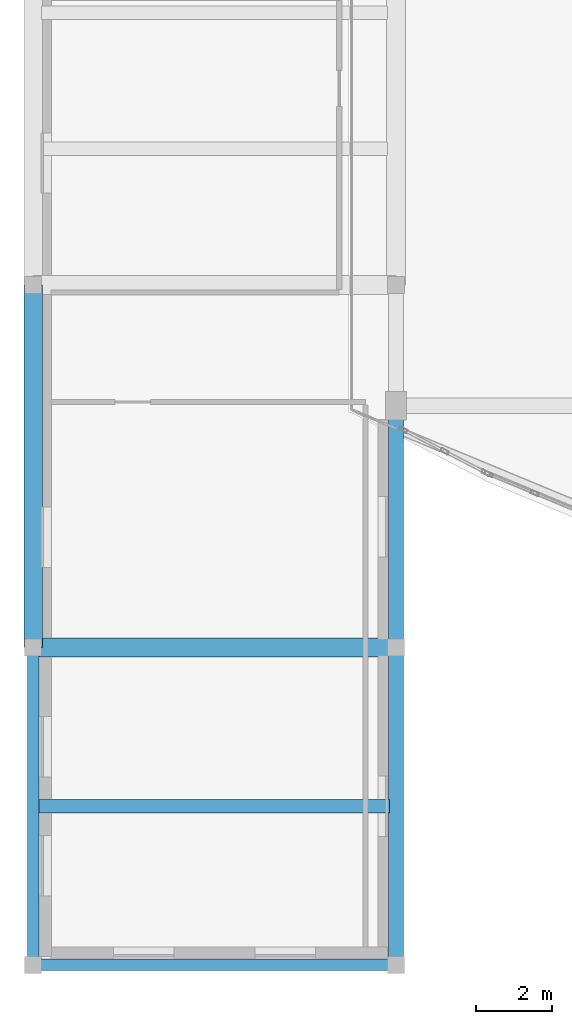
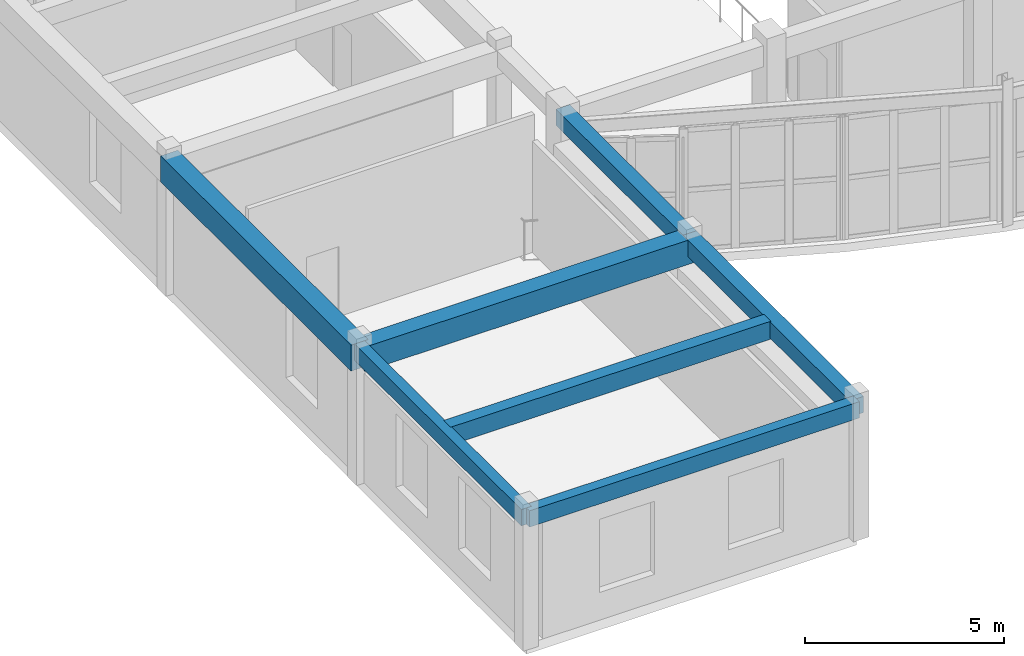
# One storey, part 5 of 92: 7 beams.
"""IFC4 building model written with IfcOpenShell, lengths in metres."""

from ifc_helpers import new_model, si_unit, direction, frame, origin, origin_2d, place, context, subcontext, project, spatial, rectangle, extrude, material, material_profile, profile_set, type_object, element, save


model = new_model("IFC4")

# Units and contexts
model_context = context("Model", 3, precision=1e-05, world=origin(), true_north=direction((0.0, 1.0)))
body_context = subcontext(model_context, "Body", "Model", "MODEL_VIEW")
ifc_project = project(units=[si_unit("LENGTHUNIT", "METRE"), si_unit("AREAUNIT", "SQUARE_METRE"), si_unit("VOLUMEUNIT", "CUBIC_METRE"), si_unit("PLANEANGLEUNIT", "RADIAN"), si_unit("MASSUNIT", "GRAM", prefix="KILO")], contexts=[model_context])

# Site, building, storey
site_placement = place(None, origin())
site = spatial("IfcSite", under=ifc_project, at=site_placement, CompositionType="ELEMENT")
building_placement = place(site_placement, origin())
building = spatial("IfcBuilding", under=site, at=building_placement, Name="Tarnavel Promenade Courthouse", CompositionType="ELEMENT")
storey_placement = place(building_placement, frame((0.0, 0.0, 5.39990234375)))
storey = spatial("IfcBuildingStorey", under=building, at=storey_placement, Name="L02", CompositionType="ELEMENT", Elevation=5.39990234375)

# Beams
ifc_material = material(Name="Concrete C40/50", Category="concrete")
ifc_material_profile_1 = material_profile(ifc_material, rectangle(XDim=0.35009765625, YDim=0.550048828125, at=origin_2d()), Name="PT 350x550")
ifc_profile_set_1 = profile_set([ifc_material_profile_1], Name="Concrete C40/50")
beam_type_1 = type_object("IfcBeamType", Name="Concrete C40/50 BM-PT-350x550 (PT 350x550)", PredefinedType="JOIST", material=ifc_profile_set_1)
beam_1_placement = place(storey_placement, frame((0.1201171875, 4.199951171875, 3.920166015625), z_axis=(1.0, 0.0, 0.0), x_axis=(0.0, 1.0, 0.0)))
element("IfcBeam", 1, at=beam_1_placement, inside=storey, type_object=beam_type_1, Name="L02 Secondary Floor Rib 1364", PredefinedType="JOIST", context=body_context, shape_type="SweptSolid", body=[
    extrude(rectangle(XDim=0.35009765625, YDim=0.550048828125, at=origin_2d()), origin(), (0.0, 0.0, 1.0), 9.309814453125),
])
ifc_material_profile_2 = material_profile(ifc_material, rectangle(XDim=0.5, YDim=0.800048828125, at=origin_2d()), Name="PT 500x800")
ifc_profile_set_2 = profile_set([ifc_material_profile_2], Name="Concrete C40/50")
beam_type_2 = type_object("IfcBeamType", Name="Concrete C40/50 BM-PT-500x800 (PT 500x800)", PredefinedType="T_BEAM", material=ifc_profile_set_2)
beam_2_placement = place(storey_placement, frame((0.0, 8.39990234375, 3.795166015625), z_axis=(0.0, 1.0, 0.0), x_axis=(-1.0, 0.0, 0.0)))
element("IfcBeam", 2, at=beam_2_placement, inside=storey, type_object=beam_type_2, Name="L02 Transverse Girder 1226", PredefinedType="T_BEAM", context=body_context, shape_type="SweptSolid", body=[
    extrude(rectangle(XDim=0.5, YDim=0.800048828125, at=origin_2d()), origin(), (0.0, 0.0, 1.0), 9.60009765625),
])
ifc_material_profile_3 = material_profile(ifc_material, rectangle(XDim=0.39990234375, YDim=0.5, at=origin_2d()), Name="RC 400x500")
ifc_profile_set_3 = profile_set([ifc_material_profile_3], Name="Concrete C40/50")
beam_type_3 = type_object("IfcBeamType", Name="Concrete C40/50 BM-RC-400x500 (RC 400x500)", PredefinedType="BEAM", material=ifc_profile_set_3)
beam_3_placement = place(storey_placement, frame((9.60009765625, 0.0, 3.945068359375), z_axis=(0.0, 1.0, 0.0), x_axis=(-1.0, 0.0, 0.0)))
element("IfcBeam", 3, at=beam_3_placement, inside=storey, type_object=beam_type_3, Name="L02 Transverse Girder 1236", PredefinedType="BEAM", context=body_context, shape_type="SweptSolid", body=[
    extrude(rectangle(XDim=0.39990234375, YDim=0.5, at=origin_2d()), origin(), (0.0, 0.0, 1.0), 8.39990234375),
])
beam_4_placement = place(storey_placement, frame((9.60009765625, 8.39990234375, 3.945068359375), z_axis=(0.0, 1.0, 0.0), x_axis=(-1.0, 0.0, 0.0)))
element("IfcBeam", 4, at=beam_4_placement, inside=storey, type_object=beam_type_3, Name="L02 Transverse Girder 1237", PredefinedType="BEAM", context=body_context, shape_type="SweptSolid", body=[
    extrude(rectangle(XDim=0.39990234375, YDim=0.5, at=origin_2d()), origin(), (0.0, 0.0, 1.0), 6.400146484375),
])
ifc_material_profile_4 = material_profile(ifc_material, rectangle(XDim=0.5, YDim=0.75, at=origin_2d()), Name="RC 500x750")
ifc_profile_set_4 = profile_set([ifc_material_profile_4], Name="Concrete C40/50")
beam_type_4 = type_object("IfcBeamType", Name="Concrete C40/50 BM-RC-500x750 (RC 500x750)", PredefinedType="T_BEAM", material=ifc_profile_set_4)
beam_5_placement = place(storey_placement, frame((0.0, 8.39990234375, 3.820068359375), z_axis=(1.0, 0.0, 0.0), x_axis=(0.0, 1.0, 0.0)))
element("IfcBeam", 5, at=beam_5_placement, inside=storey, type_object=beam_type_4, Name="L02 Primary Longitudinal Beam 1071", PredefinedType="T_BEAM", context=body_context, shape_type="SweptSolid", body=[
    extrude(rectangle(XDim=0.5, YDim=0.75, at=origin_2d()), origin(), (0.0, 0.0, 1.0), 9.60009765625),
])
ifc_material_profile_5 = material_profile(ifc_material, rectangle(XDim=0.300048828125, YDim=0.5, at=origin_2d()), Name="RC 300x500")
ifc_profile_set_5 = profile_set([ifc_material_profile_5], Name="Concrete C40/50")
beam_type_5 = type_object("IfcBeamType", Name="Concrete C40/50 BM-SP-300x500 (RC 300x500)", PredefinedType="SPANDREL", material=ifc_profile_set_5)
beam_6_placement = place(storey_placement, frame((0.0, 0.0, 3.945068359375), z_axis=(1.0, 0.0, 0.0), x_axis=(0.0, 1.0, 0.0)))
element("IfcBeam", 6, at=beam_6_placement, inside=storey, type_object=beam_type_5, Name="L02 Primary Longitudinal Beam 1070", PredefinedType="SPANDREL", context=body_context, shape_type="SweptSolid", body=[
    extrude(rectangle(XDim=0.300048828125, YDim=0.5, at=origin_2d()), origin(), (0.0, 0.0, 1.0), 9.60009765625),
])
beam_7_placement = place(storey_placement, frame((0.0, 0.0, 3.945068359375), z_axis=(0.0, 1.0, 0.0), x_axis=(-1.0, 0.0, 0.0)))
element("IfcBeam", 7, at=beam_7_placement, inside=storey, type_object=beam_type_5, Name="L02 Transverse Girder 1225", PredefinedType="SPANDREL", context=body_context, shape_type="SweptSolid", body=[
    extrude(rectangle(XDim=0.300048828125, YDim=0.5, at=origin_2d()), origin(), (0.0, 0.0, 1.0), 8.39990234375),
])

save(model, "model.ifc")
